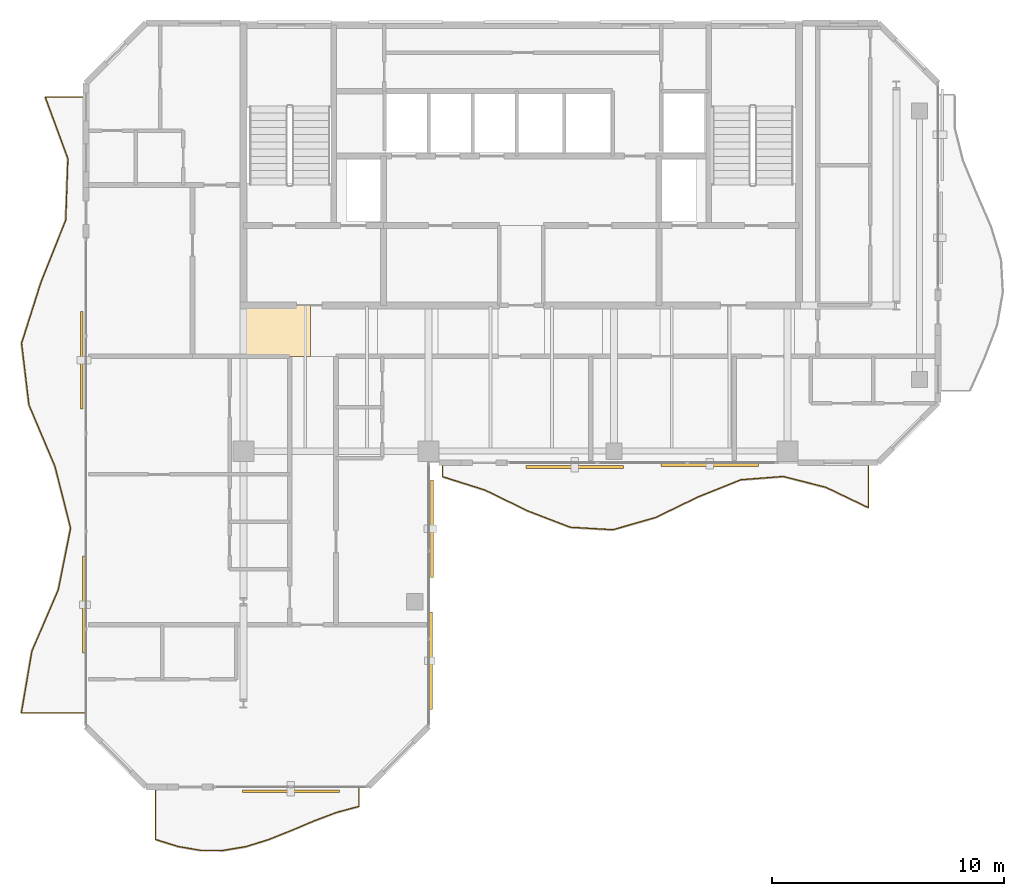
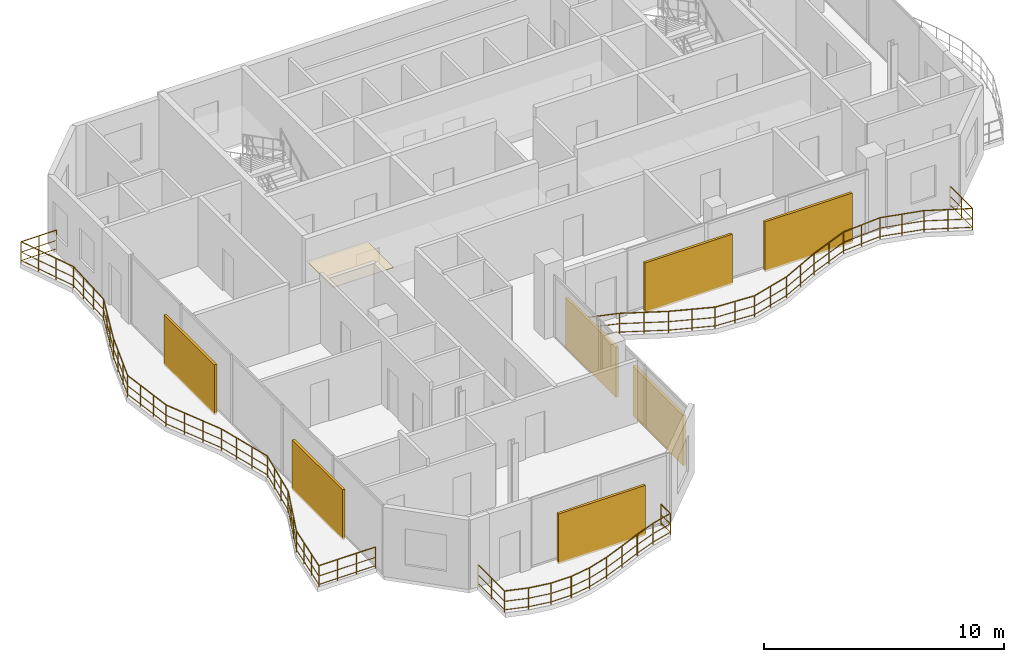
# One storey, part 16 of 17: 7 shading devices, 3 railings, 1 covering.
"""IFC4 building model written with IfcOpenShell, lengths in metres."""

import ifcopenshell
import ifcopenshell.guid

model = None  # the IFC model being written
_history = None  # IfcOwnerHistory: only IFC2X3 demands one
_inside = {}  # id of a spatial element -> (the spatial element, [elements in it])
_under = {}  # id of a project, library or spatial element -> (it, [spatial elements below it])
_declared = {}  # id of a project -> (the project, [libraries it declares])
_typed = {}  # id of a type object -> (the type object, [elements of that type])
_made_of = {}  # id of a material, layer set ... -> (it, [elements and type objects made of it])


def new_model(schema):
    """Start an empty IFC model of exactly this schema.

    Asked for "IFC4X3", IfcOpenShell would pick the latest addendum, in which some entities
    have other attributes; the version numbers below select the first issue.
    IFC2X3 requires an IfcOwnerHistory on every rooted entity: one is made here for all.
    """
    global model, _history
    if schema == "IFC4X3":
        model = ifcopenshell.file(schema_version=(4, 3, 0, 0))
    else:
        model = ifcopenshell.file(schema=schema)
    _inside.clear()
    _under.clear()
    _declared.clear()
    _typed.clear()
    _made_of.clear()
    _history = None
    if model.schema == "IFC2X3":
        org = make("IfcOrganization", Name="unknown")
        user = make(
            "IfcPersonAndOrganization",
            ThePerson=make("IfcPerson", FamilyName="unknown"),
            TheOrganization=org,
        )
        app = make(
            "IfcApplication",
            ApplicationDeveloper=org,
            Version="unknown",
            ApplicationFullName="unknown",
            ApplicationIdentifier="unknown",
        )
        _history = make(
            "IfcOwnerHistory",
            OwningUser=user,
            OwningApplication=app,
            ChangeAction="ADDED",
            CreationDate=0,
        )
    return model


def make(cls, **values):
    """One entity of the class cls with the attributes given. An attribute that is None is left unset."""
    return model.create_entity(
        cls, **{name: value for name, value in values.items() if value is not None}
    )


def rooted(cls, **values):
    """An entity with a GlobalId (a new one), such as an element, a storey or a relation."""
    return make(cls, GlobalId=ifcopenshell.guid.new(), OwnerHistory=_history, **values)


def si_unit(unit_type, name, prefix=None):
    """IfcSIUnit, for example si_unit("LENGTHUNIT", "METRE", prefix="MILLI")."""
    return make("IfcSIUnit", UnitType=unit_type, Prefix=prefix, Name=name)


def assignment(units):
    """IfcUnitAssignment: the units of a project."""
    return None if units is None else make("IfcUnitAssignment", Units=units)


def point(xyz):
    """IfcCartesianPoint."""
    return None if xyz is None else make("IfcCartesianPoint", Coordinates=xyz)


def direction(xyz):
    """IfcDirection."""
    return None if xyz is None else make("IfcDirection", DirectionRatios=xyz)


def frame(location, z_axis=None, x_axis=None):
    """IfcAxis2Placement3D, a coordinate frame: its origin and axes. An axis left out is left unset."""
    return make(
        "IfcAxis2Placement3D",
        Location=point(location),
        Axis=direction(z_axis),
        RefDirection=direction(x_axis),
    )


def frame_2d(location, x_axis=None):
    """IfcAxis2Placement2D, a coordinate frame in the plane: its origin and x axis."""
    return make(
        "IfcAxis2Placement2D", Location=point(location), RefDirection=direction(x_axis)
    )


def origin():
    """The frame at (0, 0, 0) with its axes left unset."""
    return frame((0.0, 0.0, 0.0))


def origin_2d():
    """The frame at (0, 0) in the plane with its x axis left unset."""
    return frame_2d((0.0, 0.0))


def place(relative_to, where):
    """IfcLocalPlacement: puts the frame where relative to a parent placement (None: the world)."""
    return make(
        "IfcLocalPlacement", PlacementRelTo=relative_to, RelativePlacement=where
    )


def context(
    kind, dimensions, precision=None, world=None, true_north=None, identifier=None
):
    """IfcGeometricRepresentationContext, for example the 3D "Model" context."""
    return make(
        "IfcGeometricRepresentationContext",
        ContextIdentifier=identifier,
        ContextType=kind,
        CoordinateSpaceDimension=dimensions,
        Precision=precision,
        WorldCoordinateSystem=world,
        TrueNorth=true_north,
    )


def subcontext(parent, identifier, kind, view, scale=None):
    """IfcGeometricRepresentationSubContext, for example "Body" below "Model"."""
    return make(
        "IfcGeometricRepresentationSubContext",
        ContextIdentifier=identifier,
        ContextType=kind,
        ParentContext=parent,
        TargetScale=scale,
        TargetView=view,
    )


def project(units=None, contexts=None):
    """IfcProject with its units and contexts."""
    return rooted(
        "IfcProject",
        Name="project",
        RepresentationContexts=contexts,
        UnitsInContext=assignment(units),
    )


def spatial(cls, under=None, at=None, **own):
    """A site, building, storey or space (cls), placed at a placement, below another one or the project."""
    s = rooted(cls, ObjectPlacement=at, **own)
    if under is not None:
        _under.setdefault(under.id(), (under, []))[1].append(s)
    return s


def polyline(points):
    """IfcPolyline through the points."""
    return make("IfcPolyline", Points=[point(p) for p in points])


def profile(cls, at=None, kind="AREA", **sizes):
    """A parametric profile (cls). Its sizes go by their IFC names, for example OverallWidth=200.0."""
    return make(cls, ProfileType=kind, Position=at, **sizes)


def rectangle(**sizes):
    """IfcRectangleProfileDef."""
    return profile("IfcRectangleProfileDef", **sizes)


def circle(**sizes):
    """IfcCircleProfileDef."""
    return profile("IfcCircleProfileDef", **sizes)


def outline(outer, holes=None, kind="AREA"):
    """IfcArbitraryClosedProfileDef: a profile drawn as a closed curve; with holes, ...WithVoids."""
    if holes is None:
        return make("IfcArbitraryClosedProfileDef", ProfileType=kind, OuterCurve=outer)
    return make(
        "IfcArbitraryProfileDefWithVoids",
        ProfileType=kind,
        OuterCurve=outer,
        InnerCurves=holes,
    )


def extrude(swept, where, along, depth):
    """IfcExtrudedAreaSolid: the profile swept, set in the frame where, extruded along a direction by depth."""
    return make(
        "IfcExtrudedAreaSolid",
        SweptArea=swept,
        Position=where,
        ExtrudedDirection=direction(along),
        Depth=depth,
    )


def shape(context_of_items, identifier, shape_type, items):
    """IfcShapeRepresentation: the items that make up one representation, for example the "Body"."""
    return make(
        "IfcShapeRepresentation",
        ContextOfItems=context_of_items,
        RepresentationIdentifier=identifier,
        RepresentationType=shape_type,
        Items=items,
    )


def material(Name=None, Category=None):
    """IfcMaterial."""
    return make("IfcMaterial", Name=Name, Category=Category)


def layer(
    of_material, thickness, ventilated=None, Name=None, Category=None, Priority=None
):
    """IfcMaterialLayer: one layer of a wall or slab, of a material (None: an air gap)."""
    return make(
        "IfcMaterialLayer",
        Material=of_material,
        LayerThickness=thickness,
        IsVentilated=ventilated,
        Name=Name,
        Category=Category,
        Priority=Priority,
    )


def layer_set(layers, Name=None):
    """IfcMaterialLayerSet."""
    return make("IfcMaterialLayerSet", MaterialLayers=layers, LayerSetName=Name)


def made_of(thing, what):
    """Note that an element or type object is made of a material, layer set ...; save() writes the relation."""
    if what is not None:
        _made_of.setdefault(what.id(), (what, []))[1].append(thing)
    return thing


def type_object(cls, material=None, **own):
    """A type object (cls), such as IfcWallType, which elements share."""
    return made_of(rooted(cls, **own), material)


def element(
    cls,
    number,
    at=None,
    inside=None,
    cuts=None,
    type_object=None,
    material=None,
    context=None,
    identifier="Body",
    shape_type=None,
    held_by="IfcProductDefinitionShape",
    body=None,
    shapes=None,
    **own,
):
    """One element of the class cls, such as IfcWall. Its Tag is "e" and its number.

    at: its placement. inside: the storey or other place that contains it. cuts: it is an
    opening in that element (IfcRelVoidsElement). A single representation is given by context,
    identifier, shape_type and body (its items); several are given by shapes. held_by: the class
    of the entity that holds the representations. save() writes the other relations.
    """
    e = rooted(cls, Tag="e%d" % number, ObjectPlacement=at, **own)
    if body is not None:
        shapes = [shape(context, identifier, shape_type, body)]
    if shapes is not None:
        e.Representation = make(held_by, Representations=shapes)
    if inside is not None:
        _inside.setdefault(inside.id(), (inside, []))[1].append(e)
    if cuts is not None:
        rooted(
            "IfcRelVoidsElement", RelatingBuildingElement=cuts, RelatedOpeningElement=e
        )
    if type_object is not None:
        _typed.setdefault(type_object.id(), (type_object, []))[1].append(e)
    return made_of(e, material)


def aggregate(whole, parts):
    """IfcRelAggregates: a whole, such as a stair, and the parts it consists of."""
    return rooted("IfcRelAggregates", RelatingObject=whole, RelatedObjects=parts)


def save(model, path):
    """Write the relations noted so far, then the file.

    IfcRelAggregates (storeys below a building ...), IfcRelContainedInSpatialStructure (elements
    in a storey), IfcRelDefinesByType, IfcRelAssociatesMaterial and IfcRelDeclares: one each for
    every whole, place, type object, material and project.
    """
    for whole, parts in _under.values():
        aggregate(whole, parts)
    for where, things in _inside.values():
        rooted(
            "IfcRelContainedInSpatialStructure",
            RelatedElements=things,
            RelatingStructure=where,
        )
    for kind, things in _typed.values():
        rooted("IfcRelDefinesByType", RelatedObjects=things, RelatingType=kind)
    for what, things in _made_of.values():
        rooted("IfcRelAssociatesMaterial", RelatedObjects=things, RelatingMaterial=what)
    for by, libraries in _declared.values():
        rooted("IfcRelDeclares", RelatingContext=by, RelatedDefinitions=libraries)
    model.write(path)


model = new_model("IFC4")

# Units and contexts
model_context = context("Model", 3, precision=1e-05, world=origin(), true_north=direction((0.0, 1.0)))
body_context = subcontext(model_context, "Body", "Model", "MODEL_VIEW")
ifc_project = project(units=[si_unit("LENGTHUNIT", "METRE"), si_unit("AREAUNIT", "SQUARE_METRE"), si_unit("VOLUMEUNIT", "CUBIC_METRE"), si_unit("PLANEANGLEUNIT", "RADIAN"), si_unit("MASSUNIT", "GRAM", prefix="KILO")], contexts=[model_context])

# Site, building, storey
site_placement = place(None, origin())
site = spatial("IfcSite", under=ifc_project, at=site_placement, CompositionType="ELEMENT")
building_placement = place(site_placement, origin())
building = spatial("IfcBuilding", under=site, at=building_placement, Name="Catumbela Crestline Tower", CompositionType="ELEMENT")
storey_placement = place(building_placement, frame((0.0, 0.0, 267.8)))
storey = spatial("IfcBuildingStorey", under=building, at=storey_placement, Name="L69", CompositionType="ELEMENT", Elevation=267.8)

# Covering
ifc_material_1 = material(Name="Mineral-fibre acoustic ceiling")
ifc_layer = layer(ifc_material_1, 0.03, Name="Mineral-fibre acoustic ceiling")
ifc_layer_set = layer_set([ifc_layer], Name="Mineral-fibre acoustic ceiling")
covering_type = type_object("IfcCoveringType", Name="CC-AC", PredefinedType="CEILING", material=ifc_layer_set)
covering_placement = place(storey_placement, frame((0.0, 0.0, 2.52)))
element("IfcCovering", 1, at=covering_placement, inside=storey, type_object=covering_type, Name="L69 Corridor Acoustic Ceiling Bay 1", PredefinedType="CEILING", context=body_context, shape_type="SweptSolid", body=[
    extrude(outline(polyline([(16.0, 28.6), (18.9, 28.6), (18.9, 30.8), (16.0, 30.8), (16.0, 28.6)])), origin(), (0.0, 0.0, 1.0), 0.03),
])

# Railings
ifc_material_2 = material(Name="Stainless steel EN 1.4401", Category="steel")
railing_type = type_object("IfcRailingType", Name="RB-1100", PredefinedType="BALUSTRADE", material=ifc_material_2)
railing_1_placement = place(storey_placement, frame((24.6, 23.94, 0.0)))
element("IfcRailing", 2, at=railing_1_placement, inside=storey, type_object=railing_type, Name="L69 Private Wave Balcony Balustrade 1", PredefinedType="BALUSTRADE", context=body_context, shape_type="SweptSolid", body=[
    extrude(circle(Radius=0.024, at=origin_2d()), frame((0.0, 0.0, 1.076), z_axis=(0.0, -1.0, 0.0), x_axis=(1.0, 0.0, 0.0)), (0.0, 0.0, 1.0), 0.5387),
    extrude(circle(Radius=0.0156, at=origin_2d()), frame((0.0, 0.0, 0.55), z_axis=(0.0, -1.0, 0.0), x_axis=(1.0, 0.0, 0.0)), (0.0, 0.0, 1.0), 0.5387),
    extrude(circle(Radius=0.0156, at=origin_2d()), frame((0.0, 0.0, 0.12), z_axis=(0.0, -1.0, 0.0), x_axis=(1.0, 0.0, 0.0)), (0.0, 0.0, 1.0), 0.5387),
    extrude(circle(Radius=0.024, at=origin_2d()), frame((0.0, -0.5387, 1.076), z_axis=(0.953605377257, -0.301059436766, 0.0), x_axis=(0.301059436766, 0.953605377257, 0.0)), (0.0, 0.0, 1.0), 1.9295),
    extrude(circle(Radius=0.0156, at=origin_2d()), frame((0.0, -0.5387, 0.55), z_axis=(0.953605377257, -0.301059436766, 0.0), x_axis=(0.301059436766, 0.953605377257, 0.0)), (0.0, 0.0, 1.0), 1.9295),
    extrude(circle(Radius=0.0156, at=origin_2d()), frame((0.0, -0.5387, 0.12), z_axis=(0.953605377257, -0.301059436766, 0.0), x_axis=(0.301059436766, 0.953605377257, 0.0)), (0.0, 0.0, 1.0), 1.9295),
    extrude(circle(Radius=0.024, at=origin_2d()), frame((1.84, -1.1196, 1.076), z_axis=(0.8987609344, -0.438439029738, 0.0), x_axis=(0.438439029738, 0.8987609344, 0.0)), (0.0, 0.0, 1.0), 2.0473),
    extrude(circle(Radius=0.0156, at=origin_2d()), frame((1.84, -1.1196, 0.55), z_axis=(0.8987609344, -0.438439029738, 0.0), x_axis=(0.438439029738, 0.8987609344, 0.0)), (0.0, 0.0, 1.0), 2.0473),
    extrude(circle(Radius=0.0156, at=origin_2d()), frame((1.84, -1.1196, 0.12), z_axis=(0.8987609344, -0.438439029738, 0.0), x_axis=(0.438439029738, 0.8987609344, 0.0)), (0.0, 0.0, 1.0), 2.0473),
    extrude(circle(Radius=0.024, at=origin_2d()), frame((3.68, -2.0172, 1.076), z_axis=(0.933463232673, -0.358673100815, 0.0), x_axis=(0.358673100815, 0.933463232673, 0.0)), (0.0, 0.0, 1.0), 1.9712),
    extrude(circle(Radius=0.0156, at=origin_2d()), frame((3.68, -2.0172, 0.55), z_axis=(0.933463232673, -0.358673100815, 0.0), x_axis=(0.358673100815, 0.933463232673, 0.0)), (0.0, 0.0, 1.0), 1.9712),
    extrude(circle(Radius=0.0156, at=origin_2d()), frame((3.68, -2.0172, 0.12), z_axis=(0.933463232673, -0.358673100815, 0.0), x_axis=(0.358673100815, 0.933463232673, 0.0)), (0.0, 0.0, 1.0), 1.9712),
    extrude(circle(Radius=0.024, at=origin_2d()), frame((5.52, -2.7242, 1.076), z_axis=(0.998350962972, -0.057405180371, 0.0), x_axis=(0.057405180371, 0.998350962972, 0.0)), (0.0, 0.0, 1.0), 1.843),
    extrude(circle(Radius=0.0156, at=origin_2d()), frame((5.52, -2.7242, 0.55), z_axis=(0.998350962972, -0.057405180371, 0.0), x_axis=(0.057405180371, 0.998350962972, 0.0)), (0.0, 0.0, 1.0), 1.843),
    extrude(circle(Radius=0.0156, at=origin_2d()), frame((5.52, -2.7242, 0.12), z_axis=(0.998350962972, -0.057405180371, 0.0), x_axis=(0.057405180371, 0.998350962972, 0.0)), (0.0, 0.0, 1.0), 1.843),
    extrude(circle(Radius=0.024, at=origin_2d()), frame((7.36, -2.83, 1.076), z_axis=(0.961152489006, 0.276017921299, 0.0), x_axis=(-0.276017921299, 0.961152489006, 0.0)), (0.0, 0.0, 1.0), 1.9144),
    extrude(circle(Radius=0.0156, at=origin_2d()), frame((7.36, -2.83, 0.55), z_axis=(0.961152489006, 0.276017921299, 0.0), x_axis=(-0.276017921299, 0.961152489006, 0.0)), (0.0, 0.0, 1.0), 1.9144),
    extrude(circle(Radius=0.0156, at=origin_2d()), frame((7.36, -2.83, 0.12), z_axis=(0.961152489006, 0.276017921299, 0.0), x_axis=(-0.276017921299, 0.961152489006, 0.0)), (0.0, 0.0, 1.0), 1.9144),
    extrude(circle(Radius=0.024, at=origin_2d()), frame((9.2, -2.3016, 1.076), z_axis=(0.900086852243, 0.435710521355, 0.0), x_axis=(-0.435710521355, 0.900086852243, 0.0)), (0.0, 0.0, 1.0), 2.0442),
    extrude(circle(Radius=0.0156, at=origin_2d()), frame((9.2, -2.3016, 0.55), z_axis=(0.900086852243, 0.435710521355, 0.0), x_axis=(-0.435710521355, 0.900086852243, 0.0)), (0.0, 0.0, 1.0), 2.0442),
    extrude(circle(Radius=0.0156, at=origin_2d()), frame((9.2, -2.3016, 0.12), z_axis=(0.900086852243, 0.435710521355, 0.0), x_axis=(-0.435710521355, 0.900086852243, 0.0)), (0.0, 0.0, 1.0), 2.0442),
    extrude(circle(Radius=0.024, at=origin_2d()), frame((11.04, -1.4109, 1.076), z_axis=(0.928006380315, 0.372564300619, 0.0), x_axis=(-0.372564300619, 0.928006380315, 0.0)), (0.0, 0.0, 1.0), 1.9827),
    extrude(circle(Radius=0.0156, at=origin_2d()), frame((11.04, -1.4109, 0.55), z_axis=(0.928006380315, 0.372564300619, 0.0), x_axis=(-0.372564300619, 0.928006380315, 0.0)), (0.0, 0.0, 1.0), 1.9827),
    extrude(circle(Radius=0.0156, at=origin_2d()), frame((11.04, -1.4109, 0.12), z_axis=(0.928006380315, 0.372564300619, 0.0), x_axis=(-0.372564300619, 0.928006380315, 0.0)), (0.0, 0.0, 1.0), 1.9827),
    extrude(circle(Radius=0.024, at=origin_2d()), frame((12.88, -0.6722, 1.076), z_axis=(0.997027009952, 0.077052848269, 0.0), x_axis=(-0.077052848269, 0.997027009952, 0.0)), (0.0, 0.0, 1.0), 1.8455),
    extrude(circle(Radius=0.0156, at=origin_2d()), frame((12.88, -0.6722, 0.55), z_axis=(0.997027009952, 0.077052848269, 0.0), x_axis=(-0.077052848269, 0.997027009952, 0.0)), (0.0, 0.0, 1.0), 1.8455),
    extrude(circle(Radius=0.0156, at=origin_2d()), frame((12.88, -0.6722, 0.12), z_axis=(0.997027009952, 0.077052848269, 0.0), x_axis=(-0.077052848269, 0.997027009952, 0.0)), (0.0, 0.0, 1.0), 1.8455),
    extrude(circle(Radius=0.024, at=origin_2d()), frame((14.72, -0.53, 1.076), z_axis=(0.968979182991, -0.247142353575, 0.0), x_axis=(0.247142353575, 0.968979182991, 0.0)), (0.0, 0.0, 1.0), 1.8989),
    extrude(circle(Radius=0.0156, at=origin_2d()), frame((14.72, -0.53, 0.55), z_axis=(0.968979182991, -0.247142353575, 0.0), x_axis=(0.247142353575, 0.968979182991, 0.0)), (0.0, 0.0, 1.0), 1.8989),
    extrude(circle(Radius=0.0156, at=origin_2d()), frame((14.72, -0.53, 0.12), z_axis=(0.968979182991, -0.247142353575, 0.0), x_axis=(0.247142353575, 0.968979182991, 0.0)), (0.0, 0.0, 1.0), 1.8989),
    extrude(circle(Radius=0.024, at=origin_2d()), frame((16.56, -0.9993, 1.076), z_axis=(0.901981522151, -0.431774632995, 0.0), x_axis=(0.431774632995, 0.901981522151, 0.0)), (0.0, 0.0, 1.0), 2.04),
    extrude(circle(Radius=0.0156, at=origin_2d()), frame((16.56, -0.9993, 0.55), z_axis=(0.901981522151, -0.431774632995, 0.0), x_axis=(0.431774632995, 0.901981522151, 0.0)), (0.0, 0.0, 1.0), 2.04),
    extrude(circle(Radius=0.0156, at=origin_2d()), frame((16.56, -0.9993, 0.12), z_axis=(0.901981522151, -0.431774632995, 0.0), x_axis=(0.431774632995, 0.901981522151, 0.0)), (0.0, 0.0, 1.0), 2.04),
    extrude(circle(Radius=0.024, at=origin_2d()), frame((18.4, -1.8801, 1.076), z_axis=(0.0, 1.0, 0.0), x_axis=(-1.0, 0.0, 0.0)), (0.0, 0.0, 1.0), 1.8801),
    extrude(circle(Radius=0.0156, at=origin_2d()), frame((18.4, -1.8801, 0.55), z_axis=(0.0, 1.0, 0.0), x_axis=(-1.0, 0.0, 0.0)), (0.0, 0.0, 1.0), 1.8801),
    extrude(circle(Radius=0.0156, at=origin_2d()), frame((18.4, -1.8801, 0.12), z_axis=(0.0, 1.0, 0.0), x_axis=(-1.0, 0.0, 0.0)), (0.0, 0.0, 1.0), 1.8801),
    extrude(circle(Radius=0.021, at=origin_2d()), origin(), (0.0, 0.0, 1.0), 1.052),
    extrude(circle(Radius=0.021, at=origin_2d()), frame((0.0, -0.5387, 0.0)), (0.0, 0.0, 1.0), 1.052),
    extrude(circle(Radius=0.021, at=origin_2d()), frame((0.92, -0.8292, 0.0)), (0.0, 0.0, 1.0), 1.052),
    extrude(circle(Radius=0.021, at=origin_2d()), frame((1.84, -1.1196, 0.0)), (0.0, 0.0, 1.0), 1.052),
    extrude(circle(Radius=0.021, at=origin_2d()), frame((2.76, -1.5684, 0.0)), (0.0, 0.0, 1.0), 1.052),
    extrude(circle(Radius=0.021, at=origin_2d()), frame((3.68, -2.0172, 0.0)), (0.0, 0.0, 1.0), 1.052),
    extrude(circle(Radius=0.021, at=origin_2d()), frame((4.6, -2.3707, 0.0)), (0.0, 0.0, 1.0), 1.052),
    extrude(circle(Radius=0.021, at=origin_2d()), frame((5.52, -2.7242, 0.0)), (0.0, 0.0, 1.0), 1.052),
    extrude(circle(Radius=0.021, at=origin_2d()), frame((6.44, -2.7771, 0.0)), (0.0, 0.0, 1.0), 1.052),
    extrude(circle(Radius=0.021, at=origin_2d()), frame((7.36, -2.83, 0.0)), (0.0, 0.0, 1.0), 1.052),
    extrude(circle(Radius=0.021, at=origin_2d()), frame((8.28, -2.5658, 0.0)), (0.0, 0.0, 1.0), 1.052),
    extrude(circle(Radius=0.021, at=origin_2d()), frame((9.2, -2.3016, 0.0)), (0.0, 0.0, 1.0), 1.052),
    extrude(circle(Radius=0.021, at=origin_2d()), frame((10.12, -1.8563, 0.0)), (0.0, 0.0, 1.0), 1.052),
    extrude(circle(Radius=0.021, at=origin_2d()), frame((11.04, -1.4109, 0.0)), (0.0, 0.0, 1.0), 1.052),
    extrude(circle(Radius=0.021, at=origin_2d()), frame((11.96, -1.0416, 0.0)), (0.0, 0.0, 1.0), 1.052),
    extrude(circle(Radius=0.021, at=origin_2d()), frame((12.88, -0.6722, 0.0)), (0.0, 0.0, 1.0), 1.052),
    extrude(circle(Radius=0.021, at=origin_2d()), frame((13.8, -0.6011, 0.0)), (0.0, 0.0, 1.0), 1.052),
    extrude(circle(Radius=0.021, at=origin_2d()), frame((14.72, -0.53, 0.0)), (0.0, 0.0, 1.0), 1.052),
    extrude(circle(Radius=0.021, at=origin_2d()), frame((15.64, -0.7647, 0.0)), (0.0, 0.0, 1.0), 1.052),
    extrude(circle(Radius=0.021, at=origin_2d()), frame((16.56, -0.9993, 0.0)), (0.0, 0.0, 1.0), 1.052),
    extrude(circle(Radius=0.021, at=origin_2d()), frame((17.48, -1.4397, 0.0)), (0.0, 0.0, 1.0), 1.052),
    extrude(circle(Radius=0.021, at=origin_2d()), frame((18.4, -1.8801, 0.0)), (0.0, 0.0, 1.0), 1.052),
    extrude(circle(Radius=0.021, at=origin_2d()), frame((18.4, -0.9401, 0.0)), (0.0, 0.0, 1.0), 1.052),
    extrude(circle(Radius=0.021, at=origin_2d()), frame((18.4, 0.0, 0.0)), (0.0, 0.0, 1.0), 1.052),
])
railing_2_placement = place(storey_placement, frame((12.2, 9.94, 0.0)))
element("IfcRailing", 3, at=railing_2_placement, inside=storey, type_object=railing_type, Name="L69 Private Wave Balcony Balustrade 3", PredefinedType="BALUSTRADE", context=body_context, shape_type="SweptSolid", body=[
    extrude(circle(Radius=0.024, at=origin_2d()), frame((0.0, 0.0, 1.076), z_axis=(0.0, -1.0, 0.0), x_axis=(1.0, 0.0, 0.0)), (0.0, 0.0, 1.0), 2.2074),
    extrude(circle(Radius=0.0156, at=origin_2d()), frame((0.0, 0.0, 0.55), z_axis=(0.0, -1.0, 0.0), x_axis=(1.0, 0.0, 0.0)), (0.0, 0.0, 1.0), 2.2074),
    extrude(circle(Radius=0.0156, at=origin_2d()), frame((0.0, 0.0, 0.12), z_axis=(0.0, -1.0, 0.0), x_axis=(1.0, 0.0, 0.0)), (0.0, 0.0, 1.0), 2.2074),
    extrude(circle(Radius=0.024, at=origin_2d()), frame((0.0, -2.2074, 1.076), z_axis=(0.954913393502, -0.296884507696, 0.0), x_axis=(0.296884507696, 0.954913393502, 0.0)), (0.0, 0.0, 1.0), 1.024),
    extrude(circle(Radius=0.0156, at=origin_2d()), frame((0.0, -2.2074, 0.55), z_axis=(0.954913393502, -0.296884507696, 0.0), x_axis=(0.296884507696, 0.954913393502, 0.0)), (0.0, 0.0, 1.0), 1.024),
    extrude(circle(Radius=0.0156, at=origin_2d()), frame((0.0, -2.2074, 0.12), z_axis=(0.954913393502, -0.296884507696, 0.0), x_axis=(0.296884507696, 0.954913393502, 0.0)), (0.0, 0.0, 1.0), 1.024),
    extrude(circle(Radius=0.024, at=origin_2d()), frame((0.9778, -2.5114, 1.076), z_axis=(0.985793479244, -0.167961948908, 0.0), x_axis=(0.167961948908, 0.985793479244, 0.0)), (0.0, 0.0, 1.0), 0.9919),
    extrude(circle(Radius=0.0156, at=origin_2d()), frame((0.9778, -2.5114, 0.55), z_axis=(0.985793479244, -0.167961948908, 0.0), x_axis=(0.167961948908, 0.985793479244, 0.0)), (0.0, 0.0, 1.0), 0.9919),
    extrude(circle(Radius=0.0156, at=origin_2d()), frame((0.9778, -2.5114, 0.12), z_axis=(0.985793479244, -0.167961948908, 0.0), x_axis=(0.167961948908, 0.985793479244, 0.0)), (0.0, 0.0, 1.0), 0.9919),
    extrude(circle(Radius=0.024, at=origin_2d()), frame((1.9556, -2.678, 1.076), z_axis=(0.999998974787, -0.001431930617, 0.0), x_axis=(0.001431930617, 0.999998974787, 0.0)), (0.0, 0.0, 1.0), 0.9777),
    extrude(circle(Radius=0.0156, at=origin_2d()), frame((1.9556, -2.678, 0.55), z_axis=(0.999998974787, -0.001431930617, 0.0), x_axis=(0.001431930617, 0.999998974787, 0.0)), (0.0, 0.0, 1.0), 0.9777),
    extrude(circle(Radius=0.0156, at=origin_2d()), frame((1.9556, -2.678, 0.12), z_axis=(0.999998974787, -0.001431930617, 0.0), x_axis=(0.001431930617, 0.999998974787, 0.0)), (0.0, 0.0, 1.0), 0.9777),
    extrude(circle(Radius=0.024, at=origin_2d()), frame((2.9333, -2.6794, 1.076), z_axis=(0.986240840677, 0.165314863762, 0.0), x_axis=(-0.165314863762, 0.986240840677, 0.0)), (0.0, 0.0, 1.0), 0.9914),
    extrude(circle(Radius=0.0156, at=origin_2d()), frame((2.9333, -2.6794, 0.55), z_axis=(0.986240840677, 0.165314863762, 0.0), x_axis=(-0.165314863762, 0.986240840677, 0.0)), (0.0, 0.0, 1.0), 0.9914),
    extrude(circle(Radius=0.0156, at=origin_2d()), frame((2.9333, -2.6794, 0.12), z_axis=(0.986240840677, 0.165314863762, 0.0), x_axis=(-0.165314863762, 0.986240840677, 0.0)), (0.0, 0.0, 1.0), 0.9914),
    extrude(circle(Radius=0.024, at=origin_2d()), frame((3.9111, -2.5155, 1.076), z_axis=(0.955465777669, 0.29510192765, 0.0), x_axis=(-0.29510192765, 0.955465777669, 0.0)), (0.0, 0.0, 1.0), 1.0234),
    extrude(circle(Radius=0.0156, at=origin_2d()), frame((3.9111, -2.5155, 0.55), z_axis=(0.955465777669, 0.29510192765, 0.0), x_axis=(-0.29510192765, 0.955465777669, 0.0)), (0.0, 0.0, 1.0), 1.0234),
    extrude(circle(Radius=0.0156, at=origin_2d()), frame((3.9111, -2.5155, 0.12), z_axis=(0.955465777669, 0.29510192765, 0.0), x_axis=(-0.29510192765, 0.955465777669, 0.0)), (0.0, 0.0, 1.0), 1.0234),
    extrude(circle(Radius=0.024, at=origin_2d()), frame((4.8889, -2.2135, 1.076), z_axis=(0.928712315601, 0.370801071805, 0.0), x_axis=(-0.370801071805, 0.928712315601, 0.0)), (0.0, 0.0, 1.0), 1.0529),
    extrude(circle(Radius=0.0156, at=origin_2d()), frame((4.8889, -2.2135, 0.55), z_axis=(0.928712315601, 0.370801071805, 0.0), x_axis=(-0.370801071805, 0.928712315601, 0.0)), (0.0, 0.0, 1.0), 1.0529),
    extrude(circle(Radius=0.0156, at=origin_2d()), frame((4.8889, -2.2135, 0.12), z_axis=(0.928712315601, 0.370801071805, 0.0), x_axis=(-0.370801071805, 0.928712315601, 0.0)), (0.0, 0.0, 1.0), 1.0529),
    extrude(circle(Radius=0.024, at=origin_2d()), frame((5.8667, -1.8231, 1.076), z_axis=(0.920846314381, 0.389925717658, 0.0), x_axis=(-0.389925717658, 0.920846314381, 0.0)), (0.0, 0.0, 1.0), 1.0617),
    extrude(circle(Radius=0.0156, at=origin_2d()), frame((5.8667, -1.8231, 0.55), z_axis=(0.920846314381, 0.389925717658, 0.0), x_axis=(-0.389925717658, 0.920846314381, 0.0)), (0.0, 0.0, 1.0), 1.0617),
    extrude(circle(Radius=0.0156, at=origin_2d()), frame((5.8667, -1.8231, 0.12), z_axis=(0.920846314381, 0.389925717658, 0.0), x_axis=(-0.389925717658, 0.920846314381, 0.0)), (0.0, 0.0, 1.0), 1.0617),
    extrude(circle(Radius=0.024, at=origin_2d()), frame((6.8444, -1.4091, 1.076), z_axis=(0.93556414511, 0.353156807077, 0.0), x_axis=(-0.353156807077, 0.93556414511, 0.0)), (0.0, 0.0, 1.0), 1.0451),
    extrude(circle(Radius=0.0156, at=origin_2d()), frame((6.8444, -1.4091, 0.55), z_axis=(0.93556414511, 0.353156807077, 0.0), x_axis=(-0.353156807077, 0.93556414511, 0.0)), (0.0, 0.0, 1.0), 1.0451),
    extrude(circle(Radius=0.0156, at=origin_2d()), frame((6.8444, -1.4091, 0.12), z_axis=(0.93556414511, 0.353156807077, 0.0), x_axis=(-0.353156807077, 0.93556414511, 0.0)), (0.0, 0.0, 1.0), 1.0451),
    extrude(circle(Radius=0.024, at=origin_2d()), frame((7.8222, -1.04, 1.076), z_axis=(0.965579518033, 0.260108043618, 0.0), x_axis=(-0.260108043618, 0.965579518033, 0.0)), (0.0, 0.0, 1.0), 1.0127),
    extrude(circle(Radius=0.0156, at=origin_2d()), frame((7.8222, -1.04, 0.55), z_axis=(0.965579518033, 0.260108043618, 0.0), x_axis=(-0.260108043618, 0.965579518033, 0.0)), (0.0, 0.0, 1.0), 1.0127),
    extrude(circle(Radius=0.0156, at=origin_2d()), frame((7.8222, -1.04, 0.12), z_axis=(0.965579518033, 0.260108043618, 0.0), x_axis=(-0.260108043618, 0.965579518033, 0.0)), (0.0, 0.0, 1.0), 1.0127),
    extrude(circle(Radius=0.024, at=origin_2d()), frame((8.8, -0.7766, 1.076), z_axis=(0.0, 1.0, 0.0), x_axis=(-1.0, 0.0, 0.0)), (0.0, 0.0, 1.0), 0.7766),
    extrude(circle(Radius=0.0156, at=origin_2d()), frame((8.8, -0.7766, 0.55), z_axis=(0.0, 1.0, 0.0), x_axis=(-1.0, 0.0, 0.0)), (0.0, 0.0, 1.0), 0.7766),
    extrude(circle(Radius=0.0156, at=origin_2d()), frame((8.8, -0.7766, 0.12), z_axis=(0.0, 1.0, 0.0), x_axis=(-1.0, 0.0, 0.0)), (0.0, 0.0, 1.0), 0.7766),
    extrude(circle(Radius=0.021, at=origin_2d()), origin(), (0.0, 0.0, 1.0), 1.052),
    extrude(circle(Radius=0.021, at=origin_2d()), frame((0.0, -1.1037, 0.0)), (0.0, 0.0, 1.0), 1.052),
    extrude(circle(Radius=0.021, at=origin_2d()), frame((0.0, -2.2074, 0.0)), (0.0, 0.0, 1.0), 1.052),
    extrude(circle(Radius=0.021, at=origin_2d()), frame((0.9778, -2.5114, 0.0)), (0.0, 0.0, 1.0), 1.052),
    extrude(circle(Radius=0.021, at=origin_2d()), frame((1.9556, -2.678, 0.0)), (0.0, 0.0, 1.0), 1.052),
    extrude(circle(Radius=0.021, at=origin_2d()), frame((2.9333, -2.6794, 0.0)), (0.0, 0.0, 1.0), 1.052),
    extrude(circle(Radius=0.021, at=origin_2d()), frame((3.9111, -2.5155, 0.0)), (0.0, 0.0, 1.0), 1.052),
    extrude(circle(Radius=0.021, at=origin_2d()), frame((4.8889, -2.2135, 0.0)), (0.0, 0.0, 1.0), 1.052),
    extrude(circle(Radius=0.021, at=origin_2d()), frame((5.8667, -1.8231, 0.0)), (0.0, 0.0, 1.0), 1.052),
    extrude(circle(Radius=0.021, at=origin_2d()), frame((6.8444, -1.4091, 0.0)), (0.0, 0.0, 1.0), 1.052),
    extrude(circle(Radius=0.021, at=origin_2d()), frame((7.8222, -1.04, 0.0)), (0.0, 0.0, 1.0), 1.052),
    extrude(circle(Radius=0.021, at=origin_2d()), frame((8.8, -0.7766, 0.0)), (0.0, 0.0, 1.0), 1.052),
    extrude(circle(Radius=0.021, at=origin_2d()), frame((8.8, 0.0, 0.0)), (0.0, 0.0, 1.0), 1.052),
])
railing_3_placement = place(storey_placement, frame((9.14, 39.8, 0.0)))
element("IfcRailing", 4, at=railing_3_placement, inside=storey, type_object=railing_type, Name="L69 Private Wave Balcony Balustrade 4", PredefinedType="BALUSTRADE", context=body_context, shape_type="SweptSolid", body=[
    extrude(circle(Radius=0.024, at=origin_2d()), frame((0.0, 0.0, 1.076), z_axis=(-1.0, 0.0, 0.0), x_axis=(0.0, -1.0, 0.0)), (0.0, 0.0, 1.0), 1.7007),
    extrude(circle(Radius=0.0156, at=origin_2d()), frame((0.0, 0.0, 0.55), z_axis=(-1.0, 0.0, 0.0), x_axis=(0.0, -1.0, 0.0)), (0.0, 0.0, 1.0), 1.7007),
    extrude(circle(Radius=0.0156, at=origin_2d()), frame((0.0, 0.0, 0.12), z_axis=(-1.0, 0.0, 0.0), x_axis=(0.0, -1.0, 0.0)), (0.0, 0.0, 1.0), 1.7007),
    extrude(circle(Radius=0.024, at=origin_2d()), frame((-1.7007, 0.0, 1.076), z_axis=(0.345953803564, -0.938251547187, 0.0), x_axis=(0.938251547187, 0.345953803564, 0.0)), (0.0, 0.0, 1.0), 2.8351),
    extrude(circle(Radius=0.0156, at=origin_2d()), frame((-1.7007, 0.0, 0.55), z_axis=(0.345953803564, -0.938251547187, 0.0), x_axis=(0.938251547187, 0.345953803564, 0.0)), (0.0, 0.0, 1.0), 2.8351),
    extrude(circle(Radius=0.0156, at=origin_2d()), frame((-1.7007, 0.0, 0.12), z_axis=(0.345953803564, -0.938251547187, 0.0), x_axis=(0.938251547187, 0.345953803564, 0.0)), (0.0, 0.0, 1.0), 2.8351),
    extrude(circle(Radius=0.024, at=origin_2d()), frame((-0.7199, -2.66, 1.076), z_axis=(-0.034866006476, -0.999391995962, 0.0), x_axis=(0.999391995962, -0.034866006476, 0.0)), (0.0, 0.0, 1.0), 2.6616),
    extrude(circle(Radius=0.0156, at=origin_2d()), frame((-0.7199, -2.66, 0.55), z_axis=(-0.034866006476, -0.999391995962, 0.0), x_axis=(0.999391995962, -0.034866006476, 0.0)), (0.0, 0.0, 1.0), 2.6616),
    extrude(circle(Radius=0.0156, at=origin_2d()), frame((-0.7199, -2.66, 0.12), z_axis=(-0.034866006476, -0.999391995962, 0.0), x_axis=(0.999391995962, -0.034866006476, 0.0)), (0.0, 0.0, 1.0), 2.6616),
    extrude(circle(Radius=0.024, at=origin_2d()), frame((-0.8127, -5.32, 1.076), z_axis=(-0.370999399203, -0.928633106125, 0.0), x_axis=(0.928633106125, -0.370999399203, 0.0)), (0.0, 0.0, 1.0), 2.8644),
    extrude(circle(Radius=0.0156, at=origin_2d()), frame((-0.8127, -5.32, 0.55), z_axis=(-0.370999399203, -0.928633106125, 0.0), x_axis=(0.928633106125, -0.370999399203, 0.0)), (0.0, 0.0, 1.0), 2.8644),
    extrude(circle(Radius=0.0156, at=origin_2d()), frame((-0.8127, -5.32, 0.12), z_axis=(-0.370999399203, -0.928633106125, 0.0), x_axis=(0.928633106125, -0.370999399203, 0.0)), (0.0, 0.0, 1.0), 2.8644),
    extrude(circle(Radius=0.024, at=origin_2d()), frame((-1.8754, -7.98, 1.076), z_axis=(-0.302467005362, -0.953159855778, 0.0), x_axis=(0.953159855778, -0.302467005362, 0.0)), (0.0, 0.0, 1.0), 2.7907),
    extrude(circle(Radius=0.0156, at=origin_2d()), frame((-1.8754, -7.98, 0.55), z_axis=(-0.302467005362, -0.953159855778, 0.0), x_axis=(0.953159855778, -0.302467005362, 0.0)), (0.0, 0.0, 1.0), 2.7907),
    extrude(circle(Radius=0.0156, at=origin_2d()), frame((-1.8754, -7.98, 0.12), z_axis=(-0.302467005362, -0.953159855778, 0.0), x_axis=(0.953159855778, -0.302467005362, 0.0)), (0.0, 0.0, 1.0), 2.7907),
    extrude(circle(Radius=0.024, at=origin_2d()), frame((-2.7195, -10.64, 1.076), z_axis=(0.118814033785, -0.992916524878, 0.0), x_axis=(0.992916524878, 0.118814033785, 0.0)), (0.0, 0.0, 1.0), 2.679),
    extrude(circle(Radius=0.0156, at=origin_2d()), frame((-2.7195, -10.64, 0.55), z_axis=(0.118814033785, -0.992916524878, 0.0), x_axis=(0.992916524878, 0.118814033785, 0.0)), (0.0, 0.0, 1.0), 2.679),
    extrude(circle(Radius=0.0156, at=origin_2d()), frame((-2.7195, -10.64, 0.12), z_axis=(0.118814033785, -0.992916524878, 0.0), x_axis=(0.992916524878, 0.118814033785, 0.0)), (0.0, 0.0, 1.0), 2.679),
    extrude(circle(Radius=0.024, at=origin_2d()), frame((-2.4012, -13.3, 1.076), z_axis=(0.38946828995, -0.921039874882, 0.0), x_axis=(0.921039874882, 0.38946828995, 0.0)), (0.0, 0.0, 1.0), 2.888),
    extrude(circle(Radius=0.0156, at=origin_2d()), frame((-2.4012, -13.3, 0.55), z_axis=(0.38946828995, -0.921039874882, 0.0), x_axis=(0.921039874882, 0.38946828995, 0.0)), (0.0, 0.0, 1.0), 2.888),
    extrude(circle(Radius=0.0156, at=origin_2d()), frame((-2.4012, -13.3, 0.12), z_axis=(0.38946828995, -0.921039874882, 0.0), x_axis=(0.921039874882, 0.38946828995, 0.0)), (0.0, 0.0, 1.0), 2.888),
    extrude(circle(Radius=0.024, at=origin_2d()), frame((-1.2764, -15.96, 1.076), z_axis=(0.245450046315, -0.969409240086, 0.0), x_axis=(0.969409240086, 0.245450046315, 0.0)), (0.0, 0.0, 1.0), 2.7439),
    extrude(circle(Radius=0.0156, at=origin_2d()), frame((-1.2764, -15.96, 0.55), z_axis=(0.245450046315, -0.969409240086, 0.0), x_axis=(0.969409240086, 0.245450046315, 0.0)), (0.0, 0.0, 1.0), 2.7439),
    extrude(circle(Radius=0.0156, at=origin_2d()), frame((-1.2764, -15.96, 0.12), z_axis=(0.245450046315, -0.969409240086, 0.0), x_axis=(0.969409240086, 0.245450046315, 0.0)), (0.0, 0.0, 1.0), 2.7439),
    extrude(circle(Radius=0.024, at=origin_2d()), frame((-0.6029, -18.62, 1.076), z_axis=(-0.195726181646, -0.980658585757, 0.0), x_axis=(0.980658585757, -0.195726181646, 0.0)), (0.0, 0.0, 1.0), 2.7125),
    extrude(circle(Radius=0.0156, at=origin_2d()), frame((-0.6029, -18.62, 0.55), z_axis=(-0.195726181646, -0.980658585757, 0.0), x_axis=(0.980658585757, -0.195726181646, 0.0)), (0.0, 0.0, 1.0), 2.7125),
    extrude(circle(Radius=0.0156, at=origin_2d()), frame((-0.6029, -18.62, 0.12), z_axis=(-0.195726181646, -0.980658585757, 0.0), x_axis=(0.980658585757, -0.195726181646, 0.0)), (0.0, 0.0, 1.0), 2.7125),
    extrude(circle(Radius=0.024, at=origin_2d()), frame((-1.1338, -21.28, 1.076), z_axis=(-0.394415397897, -0.918932257515, 0.0), x_axis=(0.918932257515, -0.394415397897, 0.0)), (0.0, 0.0, 1.0), 2.8947),
    extrude(circle(Radius=0.0156, at=origin_2d()), frame((-1.1338, -21.28, 0.55), z_axis=(-0.394415397897, -0.918932257515, 0.0), x_axis=(0.918932257515, -0.394415397897, 0.0)), (0.0, 0.0, 1.0), 2.8947),
    extrude(circle(Radius=0.0156, at=origin_2d()), frame((-1.1338, -21.28, 0.12), z_axis=(-0.394415397897, -0.918932257515, 0.0), x_axis=(0.918932257515, -0.394415397897, 0.0)), (0.0, 0.0, 1.0), 2.8947),
    extrude(circle(Radius=0.024, at=origin_2d()), frame((-2.2755, -23.94, 1.076), z_axis=(-0.168423804565, -0.985714675784, 0.0), x_axis=(0.985714675784, -0.168423804565, 0.0)), (0.0, 0.0, 1.0), 2.6985),
    extrude(circle(Radius=0.0156, at=origin_2d()), frame((-2.2755, -23.94, 0.55), z_axis=(-0.168423804565, -0.985714675784, 0.0), x_axis=(0.985714675784, -0.168423804565, 0.0)), (0.0, 0.0, 1.0), 2.6985),
    extrude(circle(Radius=0.0156, at=origin_2d()), frame((-2.2755, -23.94, 0.12), z_axis=(-0.168423804565, -0.985714675784, 0.0), x_axis=(0.985714675784, -0.168423804565, 0.0)), (0.0, 0.0, 1.0), 2.6985),
    extrude(circle(Radius=0.024, at=origin_2d()), frame((-2.73, -26.6, 1.076), z_axis=(1.0, 0.0, 0.0), x_axis=(0.0, 1.0, 0.0)), (0.0, 0.0, 1.0), 2.73),
    extrude(circle(Radius=0.0156, at=origin_2d()), frame((-2.73, -26.6, 0.55), z_axis=(1.0, 0.0, 0.0), x_axis=(0.0, 1.0, 0.0)), (0.0, 0.0, 1.0), 2.73),
    extrude(circle(Radius=0.0156, at=origin_2d()), frame((-2.73, -26.6, 0.12), z_axis=(1.0, 0.0, 0.0), x_axis=(0.0, 1.0, 0.0)), (0.0, 0.0, 1.0), 2.73),
    extrude(circle(Radius=0.021, at=origin_2d()), origin(), (0.0, 0.0, 1.0), 1.052),
    extrude(circle(Radius=0.021, at=origin_2d()), frame((-0.8504, 0.0, 0.0)), (0.0, 0.0, 1.0), 1.052),
    extrude(circle(Radius=0.021, at=origin_2d()), frame((-1.7007, 0.0, 0.0)), (0.0, 0.0, 1.0), 1.052),
    extrude(circle(Radius=0.021, at=origin_2d()), frame((-1.3738, -0.8867, 0.0)), (0.0, 0.0, 1.0), 1.052),
    extrude(circle(Radius=0.021, at=origin_2d()), frame((-1.0468, -1.7733, 0.0)), (0.0, 0.0, 1.0), 1.052),
    extrude(circle(Radius=0.021, at=origin_2d()), frame((-0.7199, -2.66, 0.0)), (0.0, 0.0, 1.0), 1.052),
    extrude(circle(Radius=0.021, at=origin_2d()), frame((-0.7508, -3.5467, 0.0)), (0.0, 0.0, 1.0), 1.052),
    extrude(circle(Radius=0.021, at=origin_2d()), frame((-0.7818, -4.4333, 0.0)), (0.0, 0.0, 1.0), 1.052),
    extrude(circle(Radius=0.021, at=origin_2d()), frame((-0.8127, -5.32, 0.0)), (0.0, 0.0, 1.0), 1.052),
    extrude(circle(Radius=0.021, at=origin_2d()), frame((-1.1669, -6.2067, 0.0)), (0.0, 0.0, 1.0), 1.052),
    extrude(circle(Radius=0.021, at=origin_2d()), frame((-1.5212, -7.0933, 0.0)), (0.0, 0.0, 1.0), 1.052),
    extrude(circle(Radius=0.021, at=origin_2d()), frame((-1.8754, -7.98, 0.0)), (0.0, 0.0, 1.0), 1.052),
    extrude(circle(Radius=0.021, at=origin_2d()), frame((-2.1568, -8.8667, 0.0)), (0.0, 0.0, 1.0), 1.052),
    extrude(circle(Radius=0.021, at=origin_2d()), frame((-2.4381, -9.7533, 0.0)), (0.0, 0.0, 1.0), 1.052),
    extrude(circle(Radius=0.021, at=origin_2d()), frame((-2.7195, -10.64, 0.0)), (0.0, 0.0, 1.0), 1.052),
    extrude(circle(Radius=0.021, at=origin_2d()), frame((-2.6134, -11.5267, 0.0)), (0.0, 0.0, 1.0), 1.052),
    extrude(circle(Radius=0.021, at=origin_2d()), frame((-2.5073, -12.4133, 0.0)), (0.0, 0.0, 1.0), 1.052),
    extrude(circle(Radius=0.021, at=origin_2d()), frame((-2.4012, -13.3, 0.0)), (0.0, 0.0, 1.0), 1.052),
    extrude(circle(Radius=0.021, at=origin_2d()), frame((-2.0263, -14.1867, 0.0)), (0.0, 0.0, 1.0), 1.052),
    extrude(circle(Radius=0.021, at=origin_2d()), frame((-1.6513, -15.0733, 0.0)), (0.0, 0.0, 1.0), 1.052),
    extrude(circle(Radius=0.021, at=origin_2d()), frame((-1.2764, -15.96, 0.0)), (0.0, 0.0, 1.0), 1.052),
    extrude(circle(Radius=0.021, at=origin_2d()), frame((-1.0519, -16.8467, 0.0)), (0.0, 0.0, 1.0), 1.052),
    extrude(circle(Radius=0.021, at=origin_2d()), frame((-0.8274, -17.7333, 0.0)), (0.0, 0.0, 1.0), 1.052),
    extrude(circle(Radius=0.021, at=origin_2d()), frame((-0.6029, -18.62, 0.0)), (0.0, 0.0, 1.0), 1.052),
    extrude(circle(Radius=0.021, at=origin_2d()), frame((-0.7799, -19.5067, 0.0)), (0.0, 0.0, 1.0), 1.052),
    extrude(circle(Radius=0.021, at=origin_2d()), frame((-0.9568, -20.3933, 0.0)), (0.0, 0.0, 1.0), 1.052),
    extrude(circle(Radius=0.021, at=origin_2d()), frame((-1.1338, -21.28, 0.0)), (0.0, 0.0, 1.0), 1.052),
    extrude(circle(Radius=0.021, at=origin_2d()), frame((-1.5144, -22.1667, 0.0)), (0.0, 0.0, 1.0), 1.052),
    extrude(circle(Radius=0.021, at=origin_2d()), frame((-1.8949, -23.0533, 0.0)), (0.0, 0.0, 1.0), 1.052),
    extrude(circle(Radius=0.021, at=origin_2d()), frame((-2.2755, -23.94, 0.0)), (0.0, 0.0, 1.0), 1.052),
    extrude(circle(Radius=0.021, at=origin_2d()), frame((-2.427, -24.8267, 0.0)), (0.0, 0.0, 1.0), 1.052),
    extrude(circle(Radius=0.021, at=origin_2d()), frame((-2.5785, -25.7133, 0.0)), (0.0, 0.0, 1.0), 1.052),
    extrude(circle(Radius=0.021, at=origin_2d()), frame((-2.73, -26.6, 0.0)), (0.0, 0.0, 1.0), 1.052),
    extrude(circle(Radius=0.021, at=origin_2d()), frame((-1.82, -26.6, 0.0)), (0.0, 0.0, 1.0), 1.052),
    extrude(circle(Radius=0.021, at=origin_2d()), frame((-0.91, -26.6, 0.0)), (0.0, 0.0, 1.0), 1.052),
    extrude(circle(Radius=0.021, at=origin_2d()), frame((0.0, -26.6, 0.0)), (0.0, 0.0, 1.0), 1.052),
])

# Shading devices
ifc_material_3 = material(Name="Extruded terracotta ceramic", Category="masonry")
shading_device_type_1 = type_object("IfcShadingDeviceType", Name="ST-180", PredefinedType="USERDEFINED", material=ifc_material_3)
for number, where, z_axis, x_axis, name in (
    (5, (24.099, 15.45, -0.1), (0.0, 0.0, 1.0), (0.0, 1.0, 0.0), "L69 Perforated Terracotta Solar Screen 846 (180 mm)"),
    (6, (36.1375, 23.901, -0.1), (0.0, 0.0, 1.0), (1.0, 0.0, 0.0), "L69 Perforated Terracotta Solar Screen 849 (180 mm)"),
    (7, (9.101, 17.875, -0.1), (0.0, 0.0, 1.0), (0.0, -1.0, 0.0), "L69 Perforated Terracotta Solar Screen 853 (180 mm)"),
):
    element("IfcShadingDevice", number, at=place(storey_placement, frame(where, z_axis=z_axis, x_axis=x_axis)), inside=storey, type_object=shading_device_type_1, Name=name, ObjectType="SCREEN", PredefinedType="USERDEFINED", context=body_context, shape_type="SweptSolid", body=[
        extrude(rectangle(XDim=4.2, YDim=0.12, at=origin_2d()), origin(), (0.0, 0.0, 1.0), 2.55),
    ])
shading_device_type_2 = type_object("IfcShadingDeviceType", Name="ST-260", PredefinedType="USERDEFINED", material=ifc_material_3)
shading_device_placement = place(storey_placement, frame((24.143, 21.15, -0.1), z_axis=(0.0, 0.0, 1.0), x_axis=(0.0, 1.0, 0.0)))
element("IfcShadingDevice", 8, at=shading_device_placement, inside=storey, type_object=shading_device_type_2, Name="L69 Perforated Terracotta Solar Screen 847 (260 mm)", ObjectType="SCREEN", PredefinedType="USERDEFINED", context=body_context, shape_type="SweptSolid", body=[
    extrude(rectangle(XDim=4.2, YDim=0.12, at=origin_2d()), origin(), (0.0, 0.0, 1.0), 2.55),
])
shading_device_type_3 = type_object("IfcShadingDeviceType", Name="ST-340", PredefinedType="USERDEFINED", material=ifc_material_3)
for number, where, z_axis, x_axis, name in (
    (9, (18.05, 9.813, -0.1), (0.0, 0.0, 1.0), (1.0, 0.0, 0.0), "L69 Perforated Terracotta Solar Screen 845 (340 mm)"),
    (10, (30.3125, 23.813, -0.1), (0.0, 0.0, 1.0), (1.0, 0.0, 0.0), "L69 Perforated Terracotta Solar Screen 848 (340 mm)"),
    (11, (9.013, 28.425, -0.1), (0.0, 0.0, 1.0), (0.0, -1.0, 0.0), "L69 Perforated Terracotta Solar Screen 852 (340 mm)"),
):
    element("IfcShadingDevice", number, at=place(storey_placement, frame(where, z_axis=z_axis, x_axis=x_axis)), inside=storey, type_object=shading_device_type_3, Name=name, ObjectType="SCREEN", PredefinedType="USERDEFINED", context=body_context, shape_type="SweptSolid", body=[
        extrude(rectangle(XDim=4.2, YDim=0.12, at=origin_2d()), origin(), (0.0, 0.0, 1.0), 2.55),
    ])

save(model, "model.ifc")
